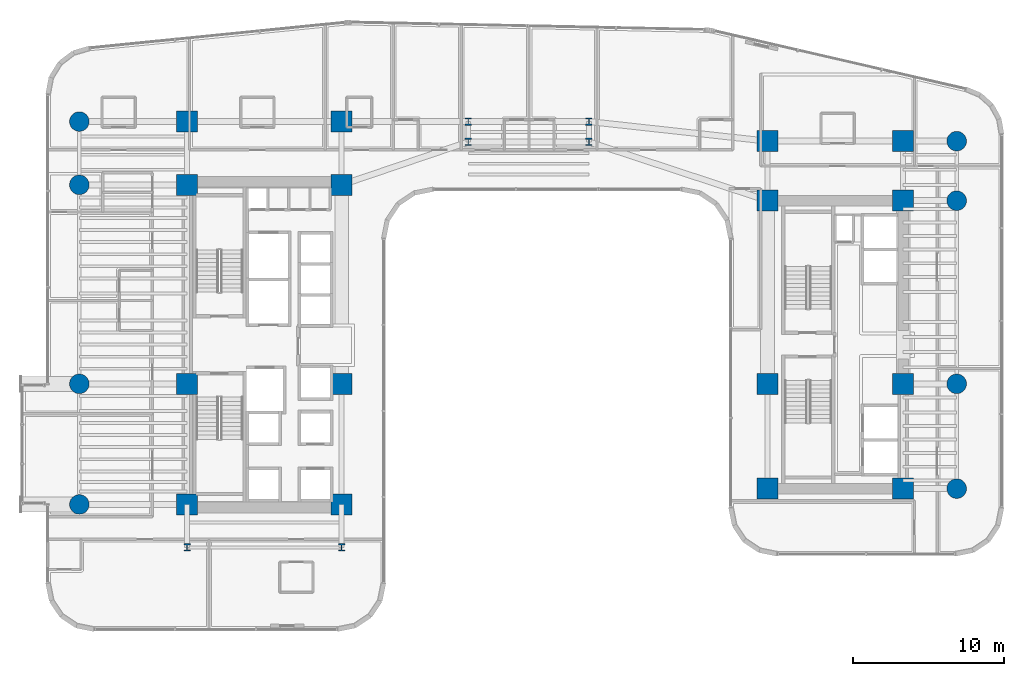
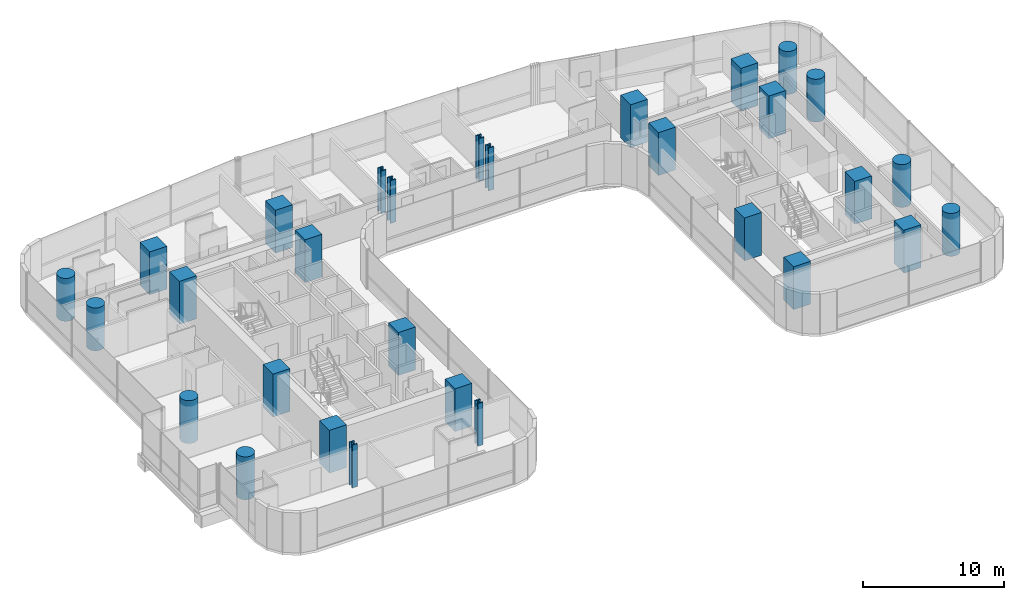
# One storey, part 1 of 40: 30 columns.
"""IFC4 building model written with IfcOpenShell, lengths in metres."""

import ifcopenshell
import ifcopenshell.guid

model = None  # the IFC model being written
_history = None  # IfcOwnerHistory: only IFC2X3 demands one
_inside = {}  # id of a spatial element -> (the spatial element, [elements in it])
_under = {}  # id of a project, library or spatial element -> (it, [spatial elements below it])
_declared = {}  # id of a project -> (the project, [libraries it declares])
_typed = {}  # id of a type object -> (the type object, [elements of that type])
_made_of = {}  # id of a material, layer set ... -> (it, [elements and type objects made of it])


def new_model(schema):
    """Start an empty IFC model of exactly this schema.

    Asked for "IFC4X3", IfcOpenShell would pick the latest addendum, in which some entities
    have other attributes; the version numbers below select the first issue.
    IFC2X3 requires an IfcOwnerHistory on every rooted entity: one is made here for all.
    """
    global model, _history
    if schema == "IFC4X3":
        model = ifcopenshell.file(schema_version=(4, 3, 0, 0))
    else:
        model = ifcopenshell.file(schema=schema)
    _inside.clear()
    _under.clear()
    _declared.clear()
    _typed.clear()
    _made_of.clear()
    _history = None
    if model.schema == "IFC2X3":
        org = make("IfcOrganization", Name="unknown")
        user = make(
            "IfcPersonAndOrganization",
            ThePerson=make("IfcPerson", FamilyName="unknown"),
            TheOrganization=org,
        )
        app = make(
            "IfcApplication",
            ApplicationDeveloper=org,
            Version="unknown",
            ApplicationFullName="unknown",
            ApplicationIdentifier="unknown",
        )
        _history = make(
            "IfcOwnerHistory",
            OwningUser=user,
            OwningApplication=app,
            ChangeAction="ADDED",
            CreationDate=0,
        )
    return model


def make(cls, **values):
    """One entity of the class cls with the attributes given. An attribute that is None is left unset."""
    return model.create_entity(
        cls, **{name: value for name, value in values.items() if value is not None}
    )


def rooted(cls, **values):
    """An entity with a GlobalId (a new one), such as an element, a storey or a relation."""
    return make(cls, GlobalId=ifcopenshell.guid.new(), OwnerHistory=_history, **values)


def si_unit(unit_type, name, prefix=None):
    """IfcSIUnit, for example si_unit("LENGTHUNIT", "METRE", prefix="MILLI")."""
    return make("IfcSIUnit", UnitType=unit_type, Prefix=prefix, Name=name)


def assignment(units):
    """IfcUnitAssignment: the units of a project."""
    return None if units is None else make("IfcUnitAssignment", Units=units)


def point(xyz):
    """IfcCartesianPoint."""
    return None if xyz is None else make("IfcCartesianPoint", Coordinates=xyz)


def direction(xyz):
    """IfcDirection."""
    return None if xyz is None else make("IfcDirection", DirectionRatios=xyz)


def frame(location, z_axis=None, x_axis=None):
    """IfcAxis2Placement3D, a coordinate frame: its origin and axes. An axis left out is left unset."""
    return make(
        "IfcAxis2Placement3D",
        Location=point(location),
        Axis=direction(z_axis),
        RefDirection=direction(x_axis),
    )


def frame_2d(location, x_axis=None):
    """IfcAxis2Placement2D, a coordinate frame in the plane: its origin and x axis."""
    return make(
        "IfcAxis2Placement2D", Location=point(location), RefDirection=direction(x_axis)
    )


def origin():
    """The frame at (0, 0, 0) with its axes left unset."""
    return frame((0.0, 0.0, 0.0))


def origin_2d():
    """The frame at (0, 0) in the plane with its x axis left unset."""
    return frame_2d((0.0, 0.0))


def place(relative_to, where):
    """IfcLocalPlacement: puts the frame where relative to a parent placement (None: the world)."""
    return make(
        "IfcLocalPlacement", PlacementRelTo=relative_to, RelativePlacement=where
    )


def context(
    kind, dimensions, precision=None, world=None, true_north=None, identifier=None
):
    """IfcGeometricRepresentationContext, for example the 3D "Model" context."""
    return make(
        "IfcGeometricRepresentationContext",
        ContextIdentifier=identifier,
        ContextType=kind,
        CoordinateSpaceDimension=dimensions,
        Precision=precision,
        WorldCoordinateSystem=world,
        TrueNorth=true_north,
    )


def subcontext(parent, identifier, kind, view, scale=None):
    """IfcGeometricRepresentationSubContext, for example "Body" below "Model"."""
    return make(
        "IfcGeometricRepresentationSubContext",
        ContextIdentifier=identifier,
        ContextType=kind,
        ParentContext=parent,
        TargetScale=scale,
        TargetView=view,
    )


def project(units=None, contexts=None):
    """IfcProject with its units and contexts."""
    return rooted(
        "IfcProject",
        Name="project",
        RepresentationContexts=contexts,
        UnitsInContext=assignment(units),
    )


def spatial(cls, under=None, at=None, **own):
    """A site, building, storey or space (cls), placed at a placement, below another one or the project."""
    s = rooted(cls, ObjectPlacement=at, **own)
    if under is not None:
        _under.setdefault(under.id(), (under, []))[1].append(s)
    return s


def profile(cls, at=None, kind="AREA", **sizes):
    """A parametric profile (cls). Its sizes go by their IFC names, for example OverallWidth=200.0."""
    return make(cls, ProfileType=kind, Position=at, **sizes)


def rectangle(**sizes):
    """IfcRectangleProfileDef."""
    return profile("IfcRectangleProfileDef", **sizes)


def circle(**sizes):
    """IfcCircleProfileDef."""
    return profile("IfcCircleProfileDef", **sizes)


def i_section(**sizes):
    """IfcIShapeProfileDef."""
    return profile("IfcIShapeProfileDef", **sizes)


def extrude(swept, where, along, depth):
    """IfcExtrudedAreaSolid: the profile swept, set in the frame where, extruded along a direction by depth."""
    return make(
        "IfcExtrudedAreaSolid",
        SweptArea=swept,
        Position=where,
        ExtrudedDirection=direction(along),
        Depth=depth,
    )


def shape(context_of_items, identifier, shape_type, items):
    """IfcShapeRepresentation: the items that make up one representation, for example the "Body"."""
    return make(
        "IfcShapeRepresentation",
        ContextOfItems=context_of_items,
        RepresentationIdentifier=identifier,
        RepresentationType=shape_type,
        Items=items,
    )


def source(mapping_origin, context_of_items, identifier, shape_type, items):
    """IfcRepresentationMap: a shape defined once, which mapped items show again and again."""
    return make(
        "IfcRepresentationMap",
        MappingOrigin=mapping_origin,
        MappedRepresentation=shape(context_of_items, identifier, shape_type, items),
    )


def transform(
    local_origin,
    x_axis=None,
    y_axis=None,
    z_axis=None,
    scale=None,
    scale2=None,
    scale3=None,
    uniform=True,
):
    """IfcCartesianTransformationOperator3D, or its non-uniform kind. x_axis, y_axis, z_axis: its Axis1, 2, 3."""
    if uniform:
        return make(
            "IfcCartesianTransformationOperator3D",
            Axis1=direction(x_axis),
            Axis2=direction(y_axis),
            LocalOrigin=point(local_origin),
            Scale=scale,
            Axis3=direction(z_axis),
        )
    return make(
        "IfcCartesianTransformationOperator3DnonUniform",
        Axis1=direction(x_axis),
        Axis2=direction(y_axis),
        LocalOrigin=point(local_origin),
        Scale=scale,
        Axis3=direction(z_axis),
        Scale2=scale2,
        Scale3=scale3,
    )


def mapped(mapping_source, mapping_target):
    """IfcMappedItem: shows the shape of a source again, moved by a transform."""
    return make(
        "IfcMappedItem", MappingSource=mapping_source, MappingTarget=mapping_target
    )


def material(Name=None, Category=None):
    """IfcMaterial."""
    return make("IfcMaterial", Name=Name, Category=Category)


def material_profile(
    of_material, cross_section, Name=None, Category=None, Priority=None
):
    """IfcMaterialProfile: a cross section and its material."""
    return make(
        "IfcMaterialProfile",
        Name=Name,
        Material=of_material,
        Profile=cross_section,
        Priority=Priority,
        Category=Category,
    )


def profile_set(profiles, Name=None, composite=None):
    """IfcMaterialProfileSet."""
    return make(
        "IfcMaterialProfileSet",
        Name=Name,
        MaterialProfiles=profiles,
        CompositeProfile=composite,
    )


def made_of(thing, what):
    """Note that an element or type object is made of a material, layer set ...; save() writes the relation."""
    if what is not None:
        _made_of.setdefault(what.id(), (what, []))[1].append(thing)
    return thing


def type_object(cls, material=None, **own):
    """A type object (cls), such as IfcWallType, which elements share."""
    return made_of(rooted(cls, **own), material)


def element(
    cls,
    number,
    at=None,
    inside=None,
    cuts=None,
    type_object=None,
    material=None,
    context=None,
    identifier="Body",
    shape_type=None,
    held_by="IfcProductDefinitionShape",
    body=None,
    shapes=None,
    **own,
):
    """One element of the class cls, such as IfcWall. Its Tag is "e" and its number.

    at: its placement. inside: the storey or other place that contains it. cuts: it is an
    opening in that element (IfcRelVoidsElement). A single representation is given by context,
    identifier, shape_type and body (its items); several are given by shapes. held_by: the class
    of the entity that holds the representations. save() writes the other relations.
    """
    e = rooted(cls, Tag="e%d" % number, ObjectPlacement=at, **own)
    if body is not None:
        shapes = [shape(context, identifier, shape_type, body)]
    if shapes is not None:
        e.Representation = make(held_by, Representations=shapes)
    if inside is not None:
        _inside.setdefault(inside.id(), (inside, []))[1].append(e)
    if cuts is not None:
        rooted(
            "IfcRelVoidsElement", RelatingBuildingElement=cuts, RelatedOpeningElement=e
        )
    if type_object is not None:
        _typed.setdefault(type_object.id(), (type_object, []))[1].append(e)
    return made_of(e, material)


def aggregate(whole, parts):
    """IfcRelAggregates: a whole, such as a stair, and the parts it consists of."""
    return rooted("IfcRelAggregates", RelatingObject=whole, RelatedObjects=parts)


def save(model, path):
    """Write the relations noted so far, then the file.

    IfcRelAggregates (storeys below a building ...), IfcRelContainedInSpatialStructure (elements
    in a storey), IfcRelDefinesByType, IfcRelAssociatesMaterial and IfcRelDeclares: one each for
    every whole, place, type object, material and project.
    """
    for whole, parts in _under.values():
        aggregate(whole, parts)
    for where, things in _inside.values():
        rooted(
            "IfcRelContainedInSpatialStructure",
            RelatedElements=things,
            RelatingStructure=where,
        )
    for kind, things in _typed.values():
        rooted("IfcRelDefinesByType", RelatedObjects=things, RelatingType=kind)
    for what, things in _made_of.values():
        rooted("IfcRelAssociatesMaterial", RelatedObjects=things, RelatingMaterial=what)
    for by, libraries in _declared.values():
        rooted("IfcRelDeclares", RelatingContext=by, RelatedDefinitions=libraries)
    model.write(path)


model = new_model("IFC4")

# Units and contexts
model_context = context("Model", 3, precision=1e-05, world=origin(), true_north=direction((0.0, 1.0)))
body_context = subcontext(model_context, "Body", "Model", "MODEL_VIEW")
ifc_project = project(units=[si_unit("LENGTHUNIT", "METRE"), si_unit("AREAUNIT", "SQUARE_METRE"), si_unit("VOLUMEUNIT", "CUBIC_METRE"), si_unit("PLANEANGLEUNIT", "RADIAN"), si_unit("MASSUNIT", "GRAM", prefix="KILO")], contexts=[model_context])

# Site, building, storey
site_placement = place(None, origin())
site = spatial("IfcSite", under=ifc_project, at=site_placement, CompositionType="ELEMENT")
building_placement = place(site_placement, origin())
building = spatial("IfcBuilding", under=site, at=building_placement, Name="Valdorenza Pilgrim Sanctuary Tower", CompositionType="ELEMENT")
storey_placement = place(building_placement, frame((0.0, 0.0, 92.60009765625)))
storey = spatial("IfcBuildingStorey", under=building, at=storey_placement, Name="L23", CompositionType="ELEMENT", Elevation=92.60009765625)

# Columns
ifc_material_1 = material(Name="Concrete C60/75", Category="concrete")
ifc_material_profile_1 = material_profile(ifc_material_1, circle(Radius=0.64990234375, at=origin_2d()), Name="RC D1300")
ifc_profile_set_1 = profile_set([ifc_material_profile_1], Name="Concrete C60/75")
column_type_1 = type_object("IfcColumnType", Name="COL-RND-1300", PredefinedType="COLUMN", material=ifc_profile_set_1)
shared_shape_1 = source(origin(), body_context, "Body", "SweptSolid", [
    extrude(circle(Radius=0.64990234375, at=origin_2d()), origin(), (0.0, 0.0, 1.0), 3.699951171875),
])
for number, where, z_axis, x_axis, name in (
    (1, (-29.800048828125, -10.60009765625, 0.0), (0.0, 0.0, 1.0), (1.0, 0.0, 0.0), "L23 Perimeter Column WA-W-S1"),
    (2, (-29.800048828125, -2.60009765625, 0.0), (0.0, 0.0, 1.0), (1.0, 0.0, 0.0), "L23 Perimeter Column WA-W-M0"),
    (3, (-29.800048828125, 10.60009765625, 0.0), (0.0, 0.0, 1.0), (1.0, 0.0, 0.0), "L23 Perimeter Column WA-W-N1"),
    (4, (-29.800048828125, 14.800048828125, 0.0), (0.0, 0.0, 1.0), (1.0, 0.0, 0.0), "L23 Perimeter Column WA-W-N2"),
    (5, (28.39990234375, -9.550048828125, 0.0), (0.0, 0.0, 1.0), (1.0, 0.0, 0.0), "L23 Perimeter Column WB-E-S1"),
    (6, (28.39990234375, -2.60009765625, 0.0), (0.0, 0.0, 1.0), (1.0, 0.0, 0.0), "L23 Perimeter Column WB-E-M0"),
    (7, (28.39990234375, 9.550048828125, 0.0), (0.0, 0.0, 1.0), (1.0, 0.0, 0.0), "L23 Perimeter Column WB-E-N1"),
    (8, (28.39990234375, 13.5, 0.0), (0.0, 0.0, 1.0), (1.0, 0.0, 0.0), "L23 Perimeter Column WB-E-N2"),
):
    element("IfcColumn", number, at=place(storey_placement, frame(where, z_axis=z_axis, x_axis=x_axis)), inside=storey, type_object=column_type_1, Name=name, PredefinedType="COLUMN", context=body_context, shape_type="MappedRepresentation", body=[
        mapped(shared_shape_1, transform((0.0, 0.0, 0.0), x_axis=(1.0, 0.0, 0.0), y_axis=(0.0, 1.0, 0.0), z_axis=(0.0, 0.0, 1.0), scale=1.0)),
    ])
ifc_material_profile_2 = material_profile(ifc_material_1, rectangle(XDim=1.39990234375, YDim=1.39990234375, at=origin_2d()), Name="RC 1400x1400")
ifc_profile_set_2 = profile_set([ifc_material_profile_2], Name="Concrete C60/75")
column_type_2 = type_object("IfcColumnType", Name="COL-Z1-1400", PredefinedType="COLUMN", material=ifc_profile_set_2)
shared_shape_2 = source(origin(), body_context, "Body", "SweptSolid", [
    extrude(rectangle(XDim=1.39990234375, YDim=1.39990234375, at=origin_2d()), origin(), (0.0, 0.0, 1.0), 3.699951171875),
])
for number, where, z_axis, x_axis, name in (
    (9, (-22.64990234375, -10.60009765625, 0.0), (0.0, 0.0, 1.0), (1.0, 0.0, 0.0), "L23 Column CA-W-S1"),
    (10, (-12.39990234375, -10.60009765625, 0.0), (0.0, 0.0, 1.0), (1.0, 0.0, 0.0), "L23 Column CA-E-S1"),
    (11, (-22.64990234375, -2.60009765625, 0.0), (0.0, 0.0, 1.0), (1.0, 0.0, 0.0), "L23 Column CA-W-M0"),
    (12, (-12.39990234375, -2.60009765625, 0.0), (0.0, 0.0, 1.0), (1.0, 0.0, 0.0), "L23 Column CA-E-M0"),
    (13, (-22.64990234375, 10.60009765625, 0.0), (0.0, 0.0, 1.0), (1.0, 0.0, 0.0), "L23 Column CA-W-N1"),
    (14, (-12.39990234375, 10.60009765625, 0.0), (0.0, 0.0, 1.0), (1.0, 0.0, 0.0), "L23 Column CA-E-N1"),
    (15, (-22.64990234375, 14.800048828125, 0.0), (0.0, 0.0, 1.0), (1.0, 0.0, 0.0), "L23 Column CA-W-N2"),
    (16, (-12.39990234375, 14.800048828125, 0.0), (0.0, 0.0, 1.0), (1.0, 0.0, 0.0), "L23 Column CA-E-N2"),
    (17, (15.85009765625, -9.550048828125, 0.0), (0.0, 0.0, 1.0), (1.0, 0.0, 0.0), "L23 Column CB-W-S1"),
    (18, (24.85009765625, -9.550048828125, 0.0), (0.0, 0.0, 1.0), (1.0, 0.0, 0.0), "L23 Column CB-E-S1"),
    (19, (15.85009765625, -2.60009765625, 0.0), (0.0, 0.0, 1.0), (1.0, 0.0, 0.0), "L23 Column CB-W-M0"),
    (20, (24.85009765625, -2.60009765625, 0.0), (0.0, 0.0, 1.0), (1.0, 0.0, 0.0), "L23 Column CB-E-M0"),
    (21, (15.85009765625, 9.550048828125, 0.0), (0.0, 0.0, 1.0), (1.0, 0.0, 0.0), "L23 Column CB-W-N1"),
    (22, (24.85009765625, 9.550048828125, 0.0), (0.0, 0.0, 1.0), (1.0, 0.0, 0.0), "L23 Column CB-E-N1"),
    (23, (15.85009765625, 13.5, 0.0), (0.0, 0.0, 1.0), (1.0, 0.0, 0.0), "L23 Column CB-W-N2"),
    (24, (24.85009765625, 13.5, 0.0), (0.0, 0.0, 1.0), (1.0, 0.0, 0.0), "L23 Column CB-E-N2"),
):
    element("IfcColumn", number, at=place(storey_placement, frame(where, z_axis=z_axis, x_axis=x_axis)), inside=storey, type_object=column_type_2, Name=name, PredefinedType="COLUMN", context=body_context, shape_type="MappedRepresentation", body=[
        mapped(shared_shape_2, transform((0.0, 0.0, 0.0), x_axis=(1.0, 0.0, 0.0), y_axis=(0.0, 1.0, 0.0), z_axis=(0.0, 0.0, 1.0), scale=1.0)),
    ])
ifc_material_2 = material(Name="Steel ASTM A992 Grade 50", Category="steel")
ifc_material_profile_3 = material_profile(ifc_material_2, i_section(OverallWidth=0.431884765625, OverallDepth=0.498046875, WebThickness=0.0556640625, FlangeThickness=0.0888671875, at=origin_2d()), Name="W14X500")
ifc_profile_set_3 = profile_set([ifc_material_profile_3], Name="Steel ASTM A992 Grade 50")
column_type_3 = type_object("IfcColumnType", Name="COL-STL-W500", PredefinedType="COLUMN", material=ifc_profile_set_3)
shared_shape_3 = source(origin(), body_context, "Body", "SweptSolid", [
    extrude(i_section(OverallWidth=0.431884765625, OverallDepth=0.498046875, WebThickness=0.0556640625, FlangeThickness=0.0888671875, at=origin_2d()), origin(), (0.0, 0.0, 1.0), 3.699951171875),
])
for number, where, z_axis, x_axis, name in (
    (25, (-22.64990234375, -13.449951171875, 0.0), (0.0, 0.0, 1.0), (1.0, 0.0, 0.0), "L23 Column WA-S-W"),
    (26, (-12.39990234375, -13.449951171875, 0.0), (0.0, 0.0, 1.0), (1.0, 0.0, 0.0), "L23 Column WA-S-E"),
    (27, (-4.0, 13.449951171875, 0.0), (0.0, 0.0, 1.0), (1.0, 0.0, 0.0), "L23 Column KNK-W1"),
    (28, (-4.0, 14.800048828125, 0.0), (0.0, 0.0, 1.0), (1.0, 0.0, 0.0), "L23 Column KNK-W2"),
    (29, (4.0, 13.449951171875, 0.0), (0.0, 0.0, 1.0), (1.0, 0.0, 0.0), "L23 Column KNK-E1"),
    (30, (4.0, 14.800048828125, 0.0), (0.0, 0.0, 1.0), (1.0, 0.0, 0.0), "L23 Column KNK-E2"),
):
    element("IfcColumn", number, at=place(storey_placement, frame(where, z_axis=z_axis, x_axis=x_axis)), inside=storey, type_object=column_type_3, Name=name, PredefinedType="COLUMN", context=body_context, shape_type="MappedRepresentation", body=[
        mapped(shared_shape_3, transform((0.0, 0.0, 0.0), x_axis=(1.0, 0.0, 0.0), y_axis=(0.0, 1.0, 0.0), z_axis=(0.0, 0.0, 1.0), scale=1.0)),
    ])

save(model, "model.ifc")
